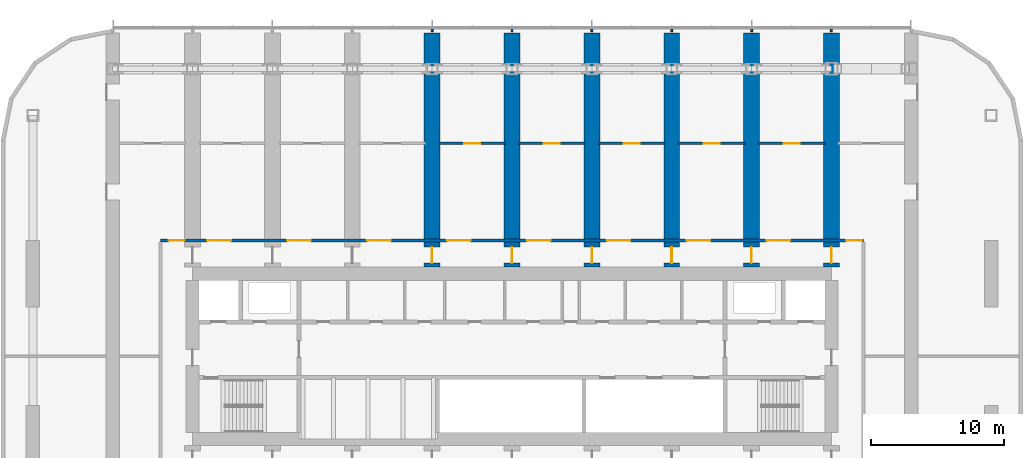
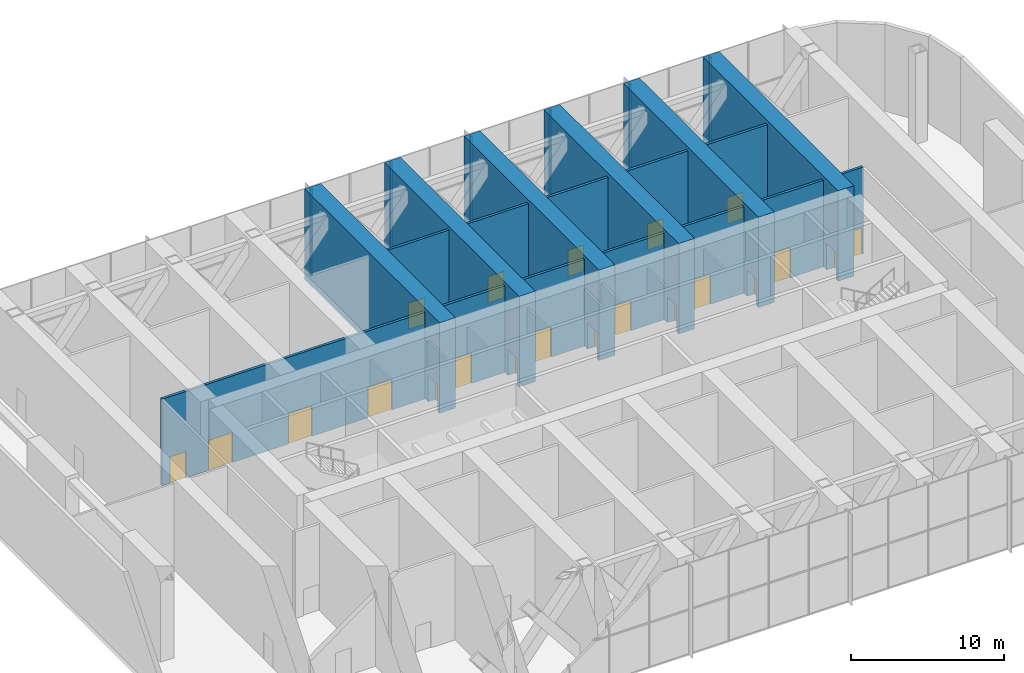
# One storey, part 14 of 24: 21 doors, 18 walls, 21 openings.
"""IFC4 building model written with IfcOpenShell, lengths in metres."""

from ifc_helpers import new_model, si_unit, direction, frame, frame_2d, origin, place, context, subcontext, project, spatial, rectangle, extrude, material, layer, layer_set, type_object, element, fill, save


model = new_model("IFC4")

# Units and contexts
model_context = context("Model", 3, precision=1e-05, world=origin(), true_north=direction((0.0, 1.0)))
body_context = subcontext(model_context, "Body", "Model", "MODEL_VIEW")
ifc_project = project(units=[si_unit("LENGTHUNIT", "METRE"), si_unit("AREAUNIT", "SQUARE_METRE"), si_unit("VOLUMEUNIT", "CUBIC_METRE"), si_unit("PLANEANGLEUNIT", "RADIAN"), si_unit("MASSUNIT", "GRAM", prefix="KILO")], contexts=[model_context])

# Site, building, storey
site_placement = place(None, origin())
site = spatial("IfcSite", under=ifc_project, at=site_placement, CompositionType="ELEMENT")
building_placement = place(site_placement, origin())
building = spatial("IfcBuilding", under=site, at=building_placement, Name="Orbita Commons", CompositionType="ELEMENT")
storey_placement = place(building_placement, frame((0.0, 0.0, 68.949951171875)))
storey = spatial("IfcBuildingStorey", under=building, at=storey_placement, Name="L17", CompositionType="ELEMENT", Elevation=68.949951171875)

# Wall, openings, doors
ifc_material_1 = material(Name="Concrete blockwork", Category="masonry")
ifc_layer_1 = layer(ifc_material_1, 0.199951171875)
ifc_layer_set_1 = layer_set([ifc_layer_1], Name="Concrete blockwork")
wall_type_1 = type_object("IfcWallType", Name="Corridor wall 200 blockwork", PredefinedType="SOLIDWALL", material=ifc_layer_set_1)
wall_1_placement = place(storey_placement, frame((15.60009765625, 40.699951171875, 0.0), z_axis=(0.0, 0.0, 1.0), x_axis=(1.0, 0.0, 0.0)))
wall_1 = element("IfcWall", 1, at=wall_1_placement, inside=storey, type_object=wall_type_1, Name="Corridor wall 200 blockwork L17", PredefinedType="SOLIDWALL", context=body_context, shape_type="SweptSolid", body=[
    extrude(rectangle(XDim=52.7998046875, YDim=0.199951171875, at=frame_2d((26.39990234375, 0.0))), origin(), (0.0, 0.0, 1.0), 6.900146484375),
])
opening_1_placement = place(wall_1_placement, frame((0.60009765625, 0.0, 0.0)))
opening_1 = element("IfcOpeningElement", 2, at=opening_1_placement, cuts=wall_1, Name="Opening D01", PredefinedType="OPENING", context=body_context, shape_type="SweptSolid", body=[
    extrude(rectangle(XDim=1.199951171875, YDim=2.10009765625, at=frame_2d((0.60009765625, 1.050048828125))), frame((0.0, 0.10986328125, 0.0), z_axis=(0.0, -1.0, 0.0), x_axis=(1.0, 0.0, 0.0)), (0.0, 0.0, 1.0), 0.219970703125),
])
opening_2_placement = place(wall_1_placement, frame((3.5, 0.0, 0.0)))
opening_2 = element("IfcOpeningElement", 3, at=opening_2_placement, cuts=wall_1, Name="Opening D14", PredefinedType="OPENING", context=body_context, shape_type="SweptSolid", body=[
    extrude(rectangle(XDim=1.800048828125, YDim=2.39990234375, at=frame_2d((0.89990234375, 1.199951171875))), frame((0.0, 0.10986328125, 0.0), z_axis=(0.0, -1.0, 0.0), x_axis=(1.0, 0.0, 0.0)), (0.0, 0.0, 1.0), 0.219970703125),
])
opening_3_placement = place(wall_1_placement, frame((9.5, 0.0, 0.0)))
opening_3 = element("IfcOpeningElement", 4, at=opening_3_placement, cuts=wall_1, Name="Opening D14", PredefinedType="OPENING", context=body_context, shape_type="SweptSolid", body=[
    extrude(rectangle(XDim=1.800048828125, YDim=2.39990234375, at=frame_2d((0.89990234375, 1.199951171875))), frame((0.0, 0.10986328125, 0.0), z_axis=(0.0, -1.0, 0.0), x_axis=(1.0, 0.0, 0.0)), (0.0, 0.0, 1.0), 0.219970703125),
])
opening_4_placement = place(wall_1_placement, frame((15.5, 0.0, 0.0)))
opening_4 = element("IfcOpeningElement", 5, at=opening_4_placement, cuts=wall_1, Name="Opening D14", PredefinedType="OPENING", context=body_context, shape_type="SweptSolid", body=[
    extrude(rectangle(XDim=1.800048828125, YDim=2.39990234375, at=frame_2d((0.89990234375, 1.199951171875))), frame((0.0, 0.10986328125, 0.0), z_axis=(0.0, -1.0, 0.0), x_axis=(1.0, 0.0, 0.0)), (0.0, 0.0, 1.0), 0.219970703125),
])
opening_5_placement = place(wall_1_placement, frame((21.5, 0.0, 0.0)))
opening_5 = element("IfcOpeningElement", 6, at=opening_5_placement, cuts=wall_1, Name="Opening D14", PredefinedType="OPENING", context=body_context, shape_type="SweptSolid", body=[
    extrude(rectangle(XDim=1.800048828125, YDim=2.39990234375, at=frame_2d((0.89990234375, 1.199951171875))), frame((0.0, 0.10986328125, 0.0), z_axis=(0.0, -1.0, 0.0), x_axis=(1.0, 0.0, 0.0)), (0.0, 0.0, 1.0), 0.219970703125),
])
opening_6_placement = place(wall_1_placement, frame((27.5, 0.0, 0.0)))
opening_6 = element("IfcOpeningElement", 7, at=opening_6_placement, cuts=wall_1, Name="Opening D14", PredefinedType="OPENING", context=body_context, shape_type="SweptSolid", body=[
    extrude(rectangle(XDim=1.800048828125, YDim=2.39990234375, at=frame_2d((0.89990234375, 1.199951171875))), frame((0.0, 0.10986328125, 0.0), z_axis=(0.0, -1.0, 0.0), x_axis=(1.0, 0.0, 0.0)), (0.0, 0.0, 1.0), 0.219970703125),
])
opening_7_placement = place(wall_1_placement, frame((33.5, 0.0, 0.0)))
opening_7 = element("IfcOpeningElement", 8, at=opening_7_placement, cuts=wall_1, Name="Opening D14", PredefinedType="OPENING", context=body_context, shape_type="SweptSolid", body=[
    extrude(rectangle(XDim=1.800048828125, YDim=2.39990234375, at=frame_2d((0.89990234375, 1.199951171875))), frame((0.0, 0.10986328125, 0.0), z_axis=(0.0, -1.0, 0.0), x_axis=(1.0, 0.0, 0.0)), (0.0, 0.0, 1.0), 0.219970703125),
])
opening_8_placement = place(wall_1_placement, frame((39.5, 0.0, 0.0)))
opening_8 = element("IfcOpeningElement", 9, at=opening_8_placement, cuts=wall_1, Name="Opening D14", PredefinedType="OPENING", context=body_context, shape_type="SweptSolid", body=[
    extrude(rectangle(XDim=1.800048828125, YDim=2.39990234375, at=frame_2d((0.89990234375, 1.199951171875))), frame((0.0, 0.10986328125, 0.0), z_axis=(0.0, -1.0, 0.0), x_axis=(1.0, 0.0, 0.0)), (0.0, 0.0, 1.0), 0.219970703125),
])
opening_9_placement = place(wall_1_placement, frame((45.5, 0.0, 0.0)))
opening_9 = element("IfcOpeningElement", 10, at=opening_9_placement, cuts=wall_1, Name="Opening D14", PredefinedType="OPENING", context=body_context, shape_type="SweptSolid", body=[
    extrude(rectangle(XDim=1.800048828125, YDim=2.39990234375, at=frame_2d((0.89990234375, 1.199951171875))), frame((0.0, 0.10986328125, 0.0), z_axis=(0.0, -1.0, 0.0), x_axis=(1.0, 0.0, 0.0)), (0.0, 0.0, 1.0), 0.219970703125),
])
opening_10_placement = place(wall_1_placement, frame((51.5, 0.0, 0.0)))
opening_10 = element("IfcOpeningElement", 11, at=opening_10_placement, cuts=wall_1, Name="Opening D01", PredefinedType="OPENING", context=body_context, shape_type="SweptSolid", body=[
    extrude(rectangle(XDim=1.199951171875, YDim=2.10009765625, at=frame_2d((0.60009765625, 1.050048828125))), frame((0.0, 0.10986328125, 0.0), z_axis=(0.0, -1.0, 0.0), x_axis=(1.0, 0.0, 0.0)), (0.0, 0.0, 1.0), 0.219970703125),
])
ifc_material_2 = material(Name="Steel-faced fire door leaf", Category="steel")
door_type_1 = type_object("IfcDoorType", Name="Double fire door 90 min 1800x2400", OperationType="DOUBLE_DOOR_SINGLE_SWING", PredefinedType="DOOR", material=ifc_material_2)
door_1_placement = place(opening_2_placement, origin())
door_1 = element("IfcDoor", 12, at=door_1_placement, inside=storey, type_object=door_type_1, Name="Mechanical plant room L17-PN2 door", OperationType="DOUBLE_DOOR_SINGLE_SWING", OverallHeight=2.39990234375, OverallWidth=1.800048828125, PredefinedType="DOOR", context=body_context, shape_type="SweptSolid", body=[
    extrude(rectangle(XDim=1.800048828125, YDim=2.39990234375, at=frame_2d((0.89990234375, 1.199951171875))), frame((0.0, 0.02490234375, 0.0), z_axis=(0.0, -1.0, 0.0), x_axis=(1.0, 0.0, 0.0)), (0.0, 0.0, 1.0), 0.050048828125),
])
fill(opening_2, door_1)
door_2_placement = place(opening_3_placement, origin())
door_2 = element("IfcDoor", 13, at=door_2_placement, inside=storey, type_object=door_type_1, Name="Mechanical plant room L17-PN3 door", OperationType="DOUBLE_DOOR_SINGLE_SWING", OverallHeight=2.39990234375, OverallWidth=1.800048828125, PredefinedType="DOOR", context=body_context, shape_type="SweptSolid", body=[
    extrude(rectangle(XDim=1.800048828125, YDim=2.39990234375, at=frame_2d((0.89990234375, 1.199951171875))), frame((0.0, 0.02490234375, 0.0), z_axis=(0.0, -1.0, 0.0), x_axis=(1.0, 0.0, 0.0)), (0.0, 0.0, 1.0), 0.050048828125),
])
fill(opening_3, door_2)
door_3_placement = place(opening_4_placement, origin())
door_3 = element("IfcDoor", 14, at=door_3_placement, inside=storey, type_object=door_type_1, Name="Water tank room L17-PN4 door", OperationType="DOUBLE_DOOR_SINGLE_SWING", OverallHeight=2.39990234375, OverallWidth=1.800048828125, PredefinedType="DOOR", context=body_context, shape_type="SweptSolid", body=[
    extrude(rectangle(XDim=1.800048828125, YDim=2.39990234375, at=frame_2d((0.89990234375, 1.199951171875))), frame((0.0, 0.02490234375, 0.0), z_axis=(0.0, -1.0, 0.0), x_axis=(1.0, 0.0, 0.0)), (0.0, 0.0, 1.0), 0.050048828125),
])
fill(opening_4, door_3)
door_4_placement = place(opening_5_placement, origin())
door_4 = element("IfcDoor", 15, at=door_4_placement, inside=storey, type_object=door_type_1, Name="Mechanical plant room L17-PN5 door", OperationType="DOUBLE_DOOR_SINGLE_SWING", OverallHeight=2.39990234375, OverallWidth=1.800048828125, PredefinedType="DOOR", context=body_context, shape_type="SweptSolid", body=[
    extrude(rectangle(XDim=1.800048828125, YDim=2.39990234375, at=frame_2d((0.89990234375, 1.199951171875))), frame((0.0, 0.02490234375, 0.0), z_axis=(0.0, -1.0, 0.0), x_axis=(1.0, 0.0, 0.0)), (0.0, 0.0, 1.0), 0.050048828125),
])
fill(opening_5, door_4)
door_5_placement = place(opening_6_placement, origin())
door_5 = element("IfcDoor", 16, at=door_5_placement, inside=storey, type_object=door_type_1, Name="Mechanical plant room L17-PN6 door", OperationType="DOUBLE_DOOR_SINGLE_SWING", OverallHeight=2.39990234375, OverallWidth=1.800048828125, PredefinedType="DOOR", context=body_context, shape_type="SweptSolid", body=[
    extrude(rectangle(XDim=1.800048828125, YDim=2.39990234375, at=frame_2d((0.89990234375, 1.199951171875))), frame((0.0, 0.02490234375, 0.0), z_axis=(0.0, -1.0, 0.0), x_axis=(1.0, 0.0, 0.0)), (0.0, 0.0, 1.0), 0.050048828125),
])
fill(opening_6, door_5)
door_6_placement = place(opening_7_placement, origin())
door_6 = element("IfcDoor", 17, at=door_6_placement, inside=storey, type_object=door_type_1, Name="Water tank room L17-PN7 door", OperationType="DOUBLE_DOOR_SINGLE_SWING", OverallHeight=2.39990234375, OverallWidth=1.800048828125, PredefinedType="DOOR", context=body_context, shape_type="SweptSolid", body=[
    extrude(rectangle(XDim=1.800048828125, YDim=2.39990234375, at=frame_2d((0.89990234375, 1.199951171875))), frame((0.0, 0.02490234375, 0.0), z_axis=(0.0, -1.0, 0.0), x_axis=(1.0, 0.0, 0.0)), (0.0, 0.0, 1.0), 0.050048828125),
])
fill(opening_7, door_6)
door_7_placement = place(opening_8_placement, origin())
door_7 = element("IfcDoor", 18, at=door_7_placement, inside=storey, type_object=door_type_1, Name="Mechanical plant room L17-PN8 door", OperationType="DOUBLE_DOOR_SINGLE_SWING", OverallHeight=2.39990234375, OverallWidth=1.800048828125, PredefinedType="DOOR", context=body_context, shape_type="SweptSolid", body=[
    extrude(rectangle(XDim=1.800048828125, YDim=2.39990234375, at=frame_2d((0.89990234375, 1.199951171875))), frame((0.0, 0.02490234375, 0.0), z_axis=(0.0, -1.0, 0.0), x_axis=(1.0, 0.0, 0.0)), (0.0, 0.0, 1.0), 0.050048828125),
])
fill(opening_8, door_7)
door_8_placement = place(opening_9_placement, origin())
door_8 = element("IfcDoor", 19, at=door_8_placement, inside=storey, type_object=door_type_1, Name="Mechanical plant room L17-PN9 door", OperationType="DOUBLE_DOOR_SINGLE_SWING", OverallHeight=2.39990234375, OverallWidth=1.800048828125, PredefinedType="DOOR", context=body_context, shape_type="SweptSolid", body=[
    extrude(rectangle(XDim=1.800048828125, YDim=2.39990234375, at=frame_2d((0.89990234375, 1.199951171875))), frame((0.0, 0.02490234375, 0.0), z_axis=(0.0, -1.0, 0.0), x_axis=(1.0, 0.0, 0.0)), (0.0, 0.0, 1.0), 0.050048828125),
])
fill(opening_9, door_8)
ifc_material_3 = material(Name="Steel-faced fire door leaf", Category="steel")
door_type_2 = type_object("IfcDoorType", Name="Fire door 90 min 1200x2100", OperationType="SINGLE_SWING_LEFT", PredefinedType="DOOR", material=ifc_material_3)
door_9_placement = place(opening_1_placement, origin())
door_9 = element("IfcDoor", 20, at=door_9_placement, inside=storey, type_object=door_type_2, Name="Water tank room L17-PN1 door", OperationType="SINGLE_SWING_LEFT", OverallHeight=2.10009765625, OverallWidth=1.199951171875, PredefinedType="DOOR", context=body_context, shape_type="SweptSolid", body=[
    extrude(rectangle(XDim=1.199951171875, YDim=2.10009765625, at=frame_2d((0.60009765625, 1.050048828125))), frame((0.0, 0.02490234375, 0.0), z_axis=(0.0, -1.0, 0.0), x_axis=(1.0, 0.0, 0.0)), (0.0, 0.0, 1.0), 0.050048828125),
])
fill(opening_1, door_9)
door_10_placement = place(opening_10_placement, origin())
door_10 = element("IfcDoor", 21, at=door_10_placement, inside=storey, type_object=door_type_2, Name="Water tank room L17-PN10 door", OperationType="SINGLE_SWING_LEFT", OverallHeight=2.10009765625, OverallWidth=1.199951171875, PredefinedType="DOOR", context=body_context, shape_type="SweptSolid", body=[
    extrude(rectangle(XDim=1.199951171875, YDim=2.10009765625, at=frame_2d((0.60009765625, 1.050048828125))), frame((0.0, 0.02490234375, 0.0), z_axis=(0.0, -1.0, 0.0), x_axis=(1.0, 0.0, 0.0)), (0.0, 0.0, 1.0), 0.050048828125),
])
fill(opening_10, door_10)

# Wall, opening, door
ifc_material_4 = material(Name="Hollow concrete block 200", Category="concrete")
ifc_layer_2 = layer(ifc_material_4, 0.199951171875)
ifc_layer_set_2 = layer_set([ifc_layer_2], Name="Hollow concrete block 200")
wall_type_2 = type_object("IfcWallType", Name="Corridor wall 200 hollow concrete block", PredefinedType="SOLIDWALL", material=ifc_layer_set_2)
wall_2_placement = place(storey_placement, frame((36.5, 48.0, 0.0), z_axis=(0.0, 0.0, 1.0), x_axis=(1.0, 0.0, 0.0)))
wall_2 = element("IfcWall", 22, at=wall_2_placement, inside=storey, type_object=wall_type_2, Name="Corridor wall 200 hollow concrete block L17", PredefinedType="SOLIDWALL", context=body_context, shape_type="SweptSolid", body=[
    extrude(rectangle(XDim=5.0, YDim=0.199951171875, at=frame_2d((2.5, 0.0))), origin(), (0.0, 0.0, 1.0), 6.900146484375),
])
opening_11_placement = place(wall_2_placement, frame((1.89990234375, 0.0, 0.0)))
opening_11 = element("IfcOpeningElement", 23, at=opening_11_placement, cuts=wall_2, Name="Opening D01", PredefinedType="OPENING", context=body_context, shape_type="SweptSolid", body=[
    extrude(rectangle(XDim=1.199951171875, YDim=2.10009765625, at=frame_2d((0.60009765625, 1.050048828125))), frame((0.0, 0.10986328125, 0.0), z_axis=(0.0, -1.0, 0.0), x_axis=(1.0, 0.0, 0.0)), (0.0, 0.0, 1.0), 0.219970703125),
])
door_11_placement = place(opening_11_placement, origin())
door_11 = element("IfcDoor", 24, at=door_11_placement, inside=storey, type_object=door_type_2, Name="Plant room door L17", OperationType="SINGLE_SWING_LEFT", OverallHeight=2.10009765625, OverallWidth=1.199951171875, PredefinedType="DOOR", context=body_context, shape_type="SweptSolid", body=[
    extrude(rectangle(XDim=1.199951171875, YDim=2.10009765625, at=frame_2d((0.60009765625, 1.050048828125))), frame((0.0, 0.02490234375, 0.0), z_axis=(0.0, -1.0, 0.0), x_axis=(1.0, 0.0, 0.0)), (0.0, 0.0, 1.0), 0.050048828125),
])
fill(opening_11, door_11)

wall_3_placement = place(storey_placement, frame((42.5, 48.0, 0.0), z_axis=(0.0, 0.0, 1.0), x_axis=(1.0, 0.0, 0.0)))
wall_3 = element("IfcWall", 25, at=wall_3_placement, inside=storey, type_object=wall_type_2, Name="Corridor wall 200 hollow concrete block L17", PredefinedType="SOLIDWALL", context=body_context, shape_type="SweptSolid", body=[
    extrude(rectangle(XDim=5.0, YDim=0.199951171875, at=frame_2d((2.5, 0.0))), origin(), (0.0, 0.0, 1.0), 6.900146484375),
])
opening_12_placement = place(wall_3_placement, frame((1.89990234375, 0.0, 0.0)))
opening_12 = element("IfcOpeningElement", 26, at=opening_12_placement, cuts=wall_3, Name="Opening D01", PredefinedType="OPENING", context=body_context, shape_type="SweptSolid", body=[
    extrude(rectangle(XDim=1.199951171875, YDim=2.10009765625, at=frame_2d((0.60009765625, 1.050048828125))), frame((0.0, 0.10986328125, 0.0), z_axis=(0.0, -1.0, 0.0), x_axis=(1.0, 0.0, 0.0)), (0.0, 0.0, 1.0), 0.219970703125),
])
door_12_placement = place(opening_12_placement, origin())
door_12 = element("IfcDoor", 27, at=door_12_placement, inside=storey, type_object=door_type_2, Name="Plant room door L17", OperationType="SINGLE_SWING_LEFT", OverallHeight=2.10009765625, OverallWidth=1.199951171875, PredefinedType="DOOR", context=body_context, shape_type="SweptSolid", body=[
    extrude(rectangle(XDim=1.199951171875, YDim=2.10009765625, at=frame_2d((0.60009765625, 1.050048828125))), frame((0.0, 0.02490234375, 0.0), z_axis=(0.0, -1.0, 0.0), x_axis=(1.0, 0.0, 0.0)), (0.0, 0.0, 1.0), 0.050048828125),
])
fill(opening_12, door_12)

wall_4_placement = place(storey_placement, frame((48.5, 48.0, 0.0), z_axis=(0.0, 0.0, 1.0), x_axis=(1.0, 0.0, 0.0)))
wall_4 = element("IfcWall", 28, at=wall_4_placement, inside=storey, type_object=wall_type_2, Name="Corridor wall 200 hollow concrete block L17", PredefinedType="SOLIDWALL", context=body_context, shape_type="SweptSolid", body=[
    extrude(rectangle(XDim=5.0, YDim=0.199951171875, at=frame_2d((2.5, 0.0))), origin(), (0.0, 0.0, 1.0), 6.900146484375),
])
opening_13_placement = place(wall_4_placement, frame((1.89990234375, 0.0, 0.0)))
opening_13 = element("IfcOpeningElement", 29, at=opening_13_placement, cuts=wall_4, Name="Opening D01", PredefinedType="OPENING", context=body_context, shape_type="SweptSolid", body=[
    extrude(rectangle(XDim=1.199951171875, YDim=2.10009765625, at=frame_2d((0.60009765625, 1.050048828125))), frame((0.0, 0.10986328125, 0.0), z_axis=(0.0, -1.0, 0.0), x_axis=(1.0, 0.0, 0.0)), (0.0, 0.0, 1.0), 0.219970703125),
])
door_13_placement = place(opening_13_placement, origin())
door_13 = element("IfcDoor", 30, at=door_13_placement, inside=storey, type_object=door_type_2, Name="Plant room door L17", OperationType="SINGLE_SWING_LEFT", OverallHeight=2.10009765625, OverallWidth=1.199951171875, PredefinedType="DOOR", context=body_context, shape_type="SweptSolid", body=[
    extrude(rectangle(XDim=1.199951171875, YDim=2.10009765625, at=frame_2d((0.60009765625, 1.050048828125))), frame((0.0, 0.02490234375, 0.0), z_axis=(0.0, -1.0, 0.0), x_axis=(1.0, 0.0, 0.0)), (0.0, 0.0, 1.0), 0.050048828125),
])
fill(opening_13, door_13)

wall_5_placement = place(storey_placement, frame((54.5, 48.0, 0.0), z_axis=(0.0, 0.0, 1.0), x_axis=(1.0, 0.0, 0.0)))
wall_5 = element("IfcWall", 31, at=wall_5_placement, inside=storey, type_object=wall_type_2, Name="Corridor wall 200 hollow concrete block L17", PredefinedType="SOLIDWALL", context=body_context, shape_type="SweptSolid", body=[
    extrude(rectangle(XDim=5.0, YDim=0.199951171875, at=frame_2d((2.5, 0.0))), origin(), (0.0, 0.0, 1.0), 6.900146484375),
])
opening_14_placement = place(wall_5_placement, frame((1.89990234375, 0.0, 0.0)))
opening_14 = element("IfcOpeningElement", 32, at=opening_14_placement, cuts=wall_5, Name="Opening D01", PredefinedType="OPENING", context=body_context, shape_type="SweptSolid", body=[
    extrude(rectangle(XDim=1.199951171875, YDim=2.10009765625, at=frame_2d((0.60009765625, 1.050048828125))), frame((0.0, 0.10986328125, 0.0), z_axis=(0.0, -1.0, 0.0), x_axis=(1.0, 0.0, 0.0)), (0.0, 0.0, 1.0), 0.219970703125),
])
door_14_placement = place(opening_14_placement, origin())
door_14 = element("IfcDoor", 33, at=door_14_placement, inside=storey, type_object=door_type_2, Name="Plant room door L17", OperationType="SINGLE_SWING_LEFT", OverallHeight=2.10009765625, OverallWidth=1.199951171875, PredefinedType="DOOR", context=body_context, shape_type="SweptSolid", body=[
    extrude(rectangle(XDim=1.199951171875, YDim=2.10009765625, at=frame_2d((0.60009765625, 1.050048828125))), frame((0.0, 0.02490234375, 0.0), z_axis=(0.0, -1.0, 0.0), x_axis=(1.0, 0.0, 0.0)), (0.0, 0.0, 1.0), 0.050048828125),
])
fill(opening_14, door_14)

wall_6_placement = place(storey_placement, frame((60.5, 48.0, 0.0), z_axis=(0.0, 0.0, 1.0), x_axis=(1.0, 0.0, 0.0)))
wall_6 = element("IfcWall", 34, at=wall_6_placement, inside=storey, type_object=wall_type_2, Name="Corridor wall 200 hollow concrete block L17", PredefinedType="SOLIDWALL", context=body_context, shape_type="SweptSolid", body=[
    extrude(rectangle(XDim=5.0, YDim=0.199951171875, at=frame_2d((2.5, 0.0))), origin(), (0.0, 0.0, 1.0), 6.900146484375),
])
opening_15_placement = place(wall_6_placement, frame((1.89990234375, 0.0, 0.0)))
opening_15 = element("IfcOpeningElement", 35, at=opening_15_placement, cuts=wall_6, Name="Opening D01", PredefinedType="OPENING", context=body_context, shape_type="SweptSolid", body=[
    extrude(rectangle(XDim=1.199951171875, YDim=2.10009765625, at=frame_2d((0.60009765625, 1.050048828125))), frame((0.0, 0.10986328125, 0.0), z_axis=(0.0, -1.0, 0.0), x_axis=(1.0, 0.0, 0.0)), (0.0, 0.0, 1.0), 0.219970703125),
])
door_15_placement = place(opening_15_placement, origin())
door_15 = element("IfcDoor", 36, at=door_15_placement, inside=storey, type_object=door_type_2, Name="Plant room door L17", OperationType="SINGLE_SWING_LEFT", OverallHeight=2.10009765625, OverallWidth=1.199951171875, PredefinedType="DOOR", context=body_context, shape_type="SweptSolid", body=[
    extrude(rectangle(XDim=1.199951171875, YDim=2.10009765625, at=frame_2d((0.60009765625, 1.050048828125))), frame((0.0, 0.02490234375, 0.0), z_axis=(0.0, -1.0, 0.0), x_axis=(1.0, 0.0, 0.0)), (0.0, 0.0, 1.0), 0.050048828125),
])
fill(opening_15, door_15)

ifc_material_5 = material(Name="Concrete C50/60", Category="concrete")
ifc_layer_3 = layer(ifc_material_5, 1.199951171875)
ifc_layer_set_3 = layer_set([ifc_layer_3], Name="Concrete C50/60")
wall_type_3 = type_object("IfcWallType", Name="Outrigger wall 1200 C50/60", PredefinedType="SHEAR", material=ifc_layer_set_3)
wall_7_placement = place(storey_placement, frame((36.0, 38.699951171875, 0.0), z_axis=(0.0, 0.0, 1.0), x_axis=(0.0, 1.0, 0.0)))
wall_7 = element("IfcWall", 37, at=wall_7_placement, inside=storey, type_object=wall_type_3, Name="Outrigger wall 7 north L17", PredefinedType="SHEAR", context=body_context, shape_type="SweptSolid", body=[
    extrude(rectangle(XDim=17.60009765625, YDim=1.199951171875, at=frame_2d((8.800048828125, 0.0))), origin(), (0.0, 0.0, 1.0), 7.199951171875),
])
opening_16_placement = place(wall_7_placement, frame((0.300048828125, 0.0, 0.0)))
opening_16 = element("IfcOpeningElement", 38, at=opening_16_placement, cuts=wall_7, Name="Opening D01", PredefinedType="OPENING", context=body_context, shape_type="SweptSolid", body=[
    extrude(rectangle(XDim=1.199951171875, YDim=2.10009765625, at=frame_2d((0.60009765625, 1.050048828125))), frame((0.0, 0.60986328125, 0.0), z_axis=(0.0, -1.0, 0.0), x_axis=(1.0, 0.0, 0.0)), (0.0, 0.0, 1.0), 1.219970703125),
])
door_16_placement = place(opening_16_placement, origin())
door_16 = element("IfcDoor", 39, at=door_16_placement, inside=storey, type_object=door_type_2, Name="Corridor door through cross wall N L17", OperationType="SINGLE_SWING_LEFT", OverallHeight=2.10009765625, OverallWidth=1.199951171875, PredefinedType="DOOR", context=body_context, shape_type="SweptSolid", body=[
    extrude(rectangle(XDim=1.199951171875, YDim=2.10009765625, at=frame_2d((0.60009765625, 1.050048828125))), frame((0.0, 0.02490234375, 0.0), z_axis=(0.0, -1.0, 0.0), x_axis=(1.0, 0.0, 0.0)), (0.0, 0.0, 1.0), 0.050048828125),
])
fill(opening_16, door_16)

wall_8_placement = place(storey_placement, frame((42.0, 38.699951171875, 0.0), z_axis=(0.0, 0.0, 1.0), x_axis=(0.0, 1.0, 0.0)))
wall_8 = element("IfcWall", 40, at=wall_8_placement, inside=storey, type_object=wall_type_3, Name="Outrigger wall 8 north L17", PredefinedType="SHEAR", context=body_context, shape_type="SweptSolid", body=[
    extrude(rectangle(XDim=17.60009765625, YDim=1.199951171875, at=frame_2d((8.800048828125, 0.0))), origin(), (0.0, 0.0, 1.0), 7.199951171875),
])
opening_17_placement = place(wall_8_placement, frame((0.300048828125, 0.0, 0.0)))
opening_17 = element("IfcOpeningElement", 41, at=opening_17_placement, cuts=wall_8, Name="Opening D01", PredefinedType="OPENING", context=body_context, shape_type="SweptSolid", body=[
    extrude(rectangle(XDim=1.199951171875, YDim=2.10009765625, at=frame_2d((0.60009765625, 1.050048828125))), frame((0.0, 0.60986328125, 0.0), z_axis=(0.0, -1.0, 0.0), x_axis=(1.0, 0.0, 0.0)), (0.0, 0.0, 1.0), 1.219970703125),
])
door_17_placement = place(opening_17_placement, origin())
door_17 = element("IfcDoor", 42, at=door_17_placement, inside=storey, type_object=door_type_2, Name="Corridor door through cross wall N L17", OperationType="SINGLE_SWING_LEFT", OverallHeight=2.10009765625, OverallWidth=1.199951171875, PredefinedType="DOOR", context=body_context, shape_type="SweptSolid", body=[
    extrude(rectangle(XDim=1.199951171875, YDim=2.10009765625, at=frame_2d((0.60009765625, 1.050048828125))), frame((0.0, 0.02490234375, 0.0), z_axis=(0.0, -1.0, 0.0), x_axis=(1.0, 0.0, 0.0)), (0.0, 0.0, 1.0), 0.050048828125),
])
fill(opening_17, door_17)

wall_9_placement = place(storey_placement, frame((48.0, 38.699951171875, 0.0), z_axis=(0.0, 0.0, 1.0), x_axis=(0.0, 1.0, 0.0)))
wall_9 = element("IfcWall", 43, at=wall_9_placement, inside=storey, type_object=wall_type_3, Name="Outrigger wall 9 north L17", PredefinedType="SHEAR", context=body_context, shape_type="SweptSolid", body=[
    extrude(rectangle(XDim=17.60009765625, YDim=1.199951171875, at=frame_2d((8.800048828125, 0.0))), origin(), (0.0, 0.0, 1.0), 7.199951171875),
])
opening_18_placement = place(wall_9_placement, frame((0.300048828125, 0.0, 0.0)))
opening_18 = element("IfcOpeningElement", 44, at=opening_18_placement, cuts=wall_9, Name="Opening D01", PredefinedType="OPENING", context=body_context, shape_type="SweptSolid", body=[
    extrude(rectangle(XDim=1.199951171875, YDim=2.10009765625, at=frame_2d((0.60009765625, 1.050048828125))), frame((0.0, 0.60986328125, 0.0), z_axis=(0.0, -1.0, 0.0), x_axis=(1.0, 0.0, 0.0)), (0.0, 0.0, 1.0), 1.219970703125),
])
door_18_placement = place(opening_18_placement, origin())
door_18 = element("IfcDoor", 45, at=door_18_placement, inside=storey, type_object=door_type_2, Name="Corridor door through cross wall N L17", OperationType="SINGLE_SWING_LEFT", OverallHeight=2.10009765625, OverallWidth=1.199951171875, PredefinedType="DOOR", context=body_context, shape_type="SweptSolid", body=[
    extrude(rectangle(XDim=1.199951171875, YDim=2.10009765625, at=frame_2d((0.60009765625, 1.050048828125))), frame((0.0, 0.02490234375, 0.0), z_axis=(0.0, -1.0, 0.0), x_axis=(1.0, 0.0, 0.0)), (0.0, 0.0, 1.0), 0.050048828125),
])
fill(opening_18, door_18)

wall_10_placement = place(storey_placement, frame((54.0, 38.699951171875, 0.0), z_axis=(0.0, 0.0, 1.0), x_axis=(0.0, 1.0, 0.0)))
wall_10 = element("IfcWall", 46, at=wall_10_placement, inside=storey, type_object=wall_type_3, Name="Outrigger wall 10 north L17", PredefinedType="SHEAR", context=body_context, shape_type="SweptSolid", body=[
    extrude(rectangle(XDim=17.60009765625, YDim=1.199951171875, at=frame_2d((8.800048828125, 0.0))), origin(), (0.0, 0.0, 1.0), 7.199951171875),
])
opening_19_placement = place(wall_10_placement, frame((0.300048828125, 0.0, 0.0)))
opening_19 = element("IfcOpeningElement", 47, at=opening_19_placement, cuts=wall_10, Name="Opening D01", PredefinedType="OPENING", context=body_context, shape_type="SweptSolid", body=[
    extrude(rectangle(XDim=1.199951171875, YDim=2.10009765625, at=frame_2d((0.60009765625, 1.050048828125))), frame((0.0, 0.60986328125, 0.0), z_axis=(0.0, -1.0, 0.0), x_axis=(1.0, 0.0, 0.0)), (0.0, 0.0, 1.0), 1.219970703125),
])
door_19_placement = place(opening_19_placement, origin())
door_19 = element("IfcDoor", 48, at=door_19_placement, inside=storey, type_object=door_type_2, Name="Corridor door through cross wall N L17", OperationType="SINGLE_SWING_LEFT", OverallHeight=2.10009765625, OverallWidth=1.199951171875, PredefinedType="DOOR", context=body_context, shape_type="SweptSolid", body=[
    extrude(rectangle(XDim=1.199951171875, YDim=2.10009765625, at=frame_2d((0.60009765625, 1.050048828125))), frame((0.0, 0.02490234375, 0.0), z_axis=(0.0, -1.0, 0.0), x_axis=(1.0, 0.0, 0.0)), (0.0, 0.0, 1.0), 0.050048828125),
])
fill(opening_19, door_19)

wall_11_placement = place(storey_placement, frame((60.0, 38.699951171875, 0.0), z_axis=(0.0, 0.0, 1.0), x_axis=(0.0, 1.0, 0.0)))
wall_11 = element("IfcWall", 49, at=wall_11_placement, inside=storey, type_object=wall_type_3, Name="Outrigger wall 11 north L17", PredefinedType="SHEAR", context=body_context, shape_type="SweptSolid", body=[
    extrude(rectangle(XDim=17.60009765625, YDim=1.199951171875, at=frame_2d((8.800048828125, 0.0))), origin(), (0.0, 0.0, 1.0), 7.199951171875),
])
opening_20_placement = place(wall_11_placement, frame((0.300048828125, 0.0, 0.0)))
opening_20 = element("IfcOpeningElement", 50, at=opening_20_placement, cuts=wall_11, Name="Opening D01", PredefinedType="OPENING", context=body_context, shape_type="SweptSolid", body=[
    extrude(rectangle(XDim=1.199951171875, YDim=2.10009765625, at=frame_2d((0.60009765625, 1.050048828125))), frame((0.0, 0.60986328125, 0.0), z_axis=(0.0, -1.0, 0.0), x_axis=(1.0, 0.0, 0.0)), (0.0, 0.0, 1.0), 1.219970703125),
])
door_20_placement = place(opening_20_placement, origin())
door_20 = element("IfcDoor", 51, at=door_20_placement, inside=storey, type_object=door_type_2, Name="Corridor door through cross wall N L17", OperationType="SINGLE_SWING_LEFT", OverallHeight=2.10009765625, OverallWidth=1.199951171875, PredefinedType="DOOR", context=body_context, shape_type="SweptSolid", body=[
    extrude(rectangle(XDim=1.199951171875, YDim=2.10009765625, at=frame_2d((0.60009765625, 1.050048828125))), frame((0.0, 0.02490234375, 0.0), z_axis=(0.0, -1.0, 0.0), x_axis=(1.0, 0.0, 0.0)), (0.0, 0.0, 1.0), 0.050048828125),
])
fill(opening_20, door_20)

wall_12_placement = place(storey_placement, frame((66.0, 38.699951171875, 0.0), z_axis=(0.0, 0.0, 1.0), x_axis=(0.0, 1.0, 0.0)))
wall_12 = element("IfcWall", 52, at=wall_12_placement, inside=storey, type_object=wall_type_3, Name="Outrigger wall 12 north L17", PredefinedType="SHEAR", context=body_context, shape_type="SweptSolid", body=[
    extrude(rectangle(XDim=17.60009765625, YDim=1.199951171875, at=frame_2d((8.800048828125, 0.0))), origin(), (0.0, 0.0, 1.0), 7.199951171875),
])
opening_21_placement = place(wall_12_placement, frame((0.300048828125, 0.0, 0.0)))
opening_21 = element("IfcOpeningElement", 53, at=opening_21_placement, cuts=wall_12, Name="Opening D01", PredefinedType="OPENING", context=body_context, shape_type="SweptSolid", body=[
    extrude(rectangle(XDim=1.199951171875, YDim=2.10009765625, at=frame_2d((0.60009765625, 1.050048828125))), frame((0.0, 0.60986328125, 0.0), z_axis=(0.0, -1.0, 0.0), x_axis=(1.0, 0.0, 0.0)), (0.0, 0.0, 1.0), 1.219970703125),
])
door_21_placement = place(opening_21_placement, origin())
door_21 = element("IfcDoor", 54, at=door_21_placement, inside=storey, type_object=door_type_2, Name="Corridor door through cross wall N L17", OperationType="SINGLE_SWING_LEFT", OverallHeight=2.10009765625, OverallWidth=1.199951171875, PredefinedType="DOOR", context=body_context, shape_type="SweptSolid", body=[
    extrude(rectangle(XDim=1.199951171875, YDim=2.10009765625, at=frame_2d((0.60009765625, 1.050048828125))), frame((0.0, 0.02490234375, 0.0), z_axis=(0.0, -1.0, 0.0), x_axis=(1.0, 0.0, 0.0)), (0.0, 0.0, 1.0), 0.050048828125),
])
fill(opening_21, door_21)

# Walls
ifc_material_6 = material(Name="Gypsum plasterboard on steel studs", Category="steel")
ifc_layer_4 = layer(ifc_material_6, 0.14990234375)
ifc_layer_set_4 = layer_set([ifc_layer_4], Name="Gypsum plasterboard on steel studs")
wall_type_4 = type_object("IfcWallType", Name="Partition 150 plasterboard", PredefinedType="PARTITIONING", material=ifc_layer_set_4)
for number, where, z_axis, x_axis, name in (
    (55, (36.0, 56.39990234375, 0.0), (0.0, 0.0, 1.0), (0.0, 1.0, 0.0), "Partition 150 plasterboard L17"),
    (56, (42.0, 56.39990234375, 0.0), (0.0, 0.0, 1.0), (0.0, 1.0, 0.0), "Partition 150 plasterboard L17"),
    (57, (48.0, 56.39990234375, 0.0), (0.0, 0.0, 1.0), (0.0, 1.0, 0.0), "Partition 150 plasterboard L17"),
    (58, (54.0, 56.39990234375, 0.0), (0.0, 0.0, 1.0), (0.0, 1.0, 0.0), "Partition 150 plasterboard L17"),
    (59, (60.0, 56.39990234375, 0.0), (0.0, 0.0, 1.0), (0.0, 1.0, 0.0), "Partition 150 plasterboard L17"),
    (60, (66.0, 56.39990234375, 0.0), (0.0, 0.0, 1.0), (0.0, 1.0, 0.0), "Partition 150 plasterboard L17"),
):
    element("IfcWall", number, at=place(storey_placement, frame(where, z_axis=z_axis, x_axis=x_axis)), inside=storey, type_object=wall_type_4, Name=name, PredefinedType="PARTITIONING", context=body_context, shape_type="SweptSolid", body=[
        extrude(rectangle(XDim=0.190185546875, YDim=0.14990234375, at=frame_2d((0.09521484375, 0.0))), origin(), (0.0, 0.0, 1.0), 6.900146484375),
    ])

save(model, "model.ifc")
